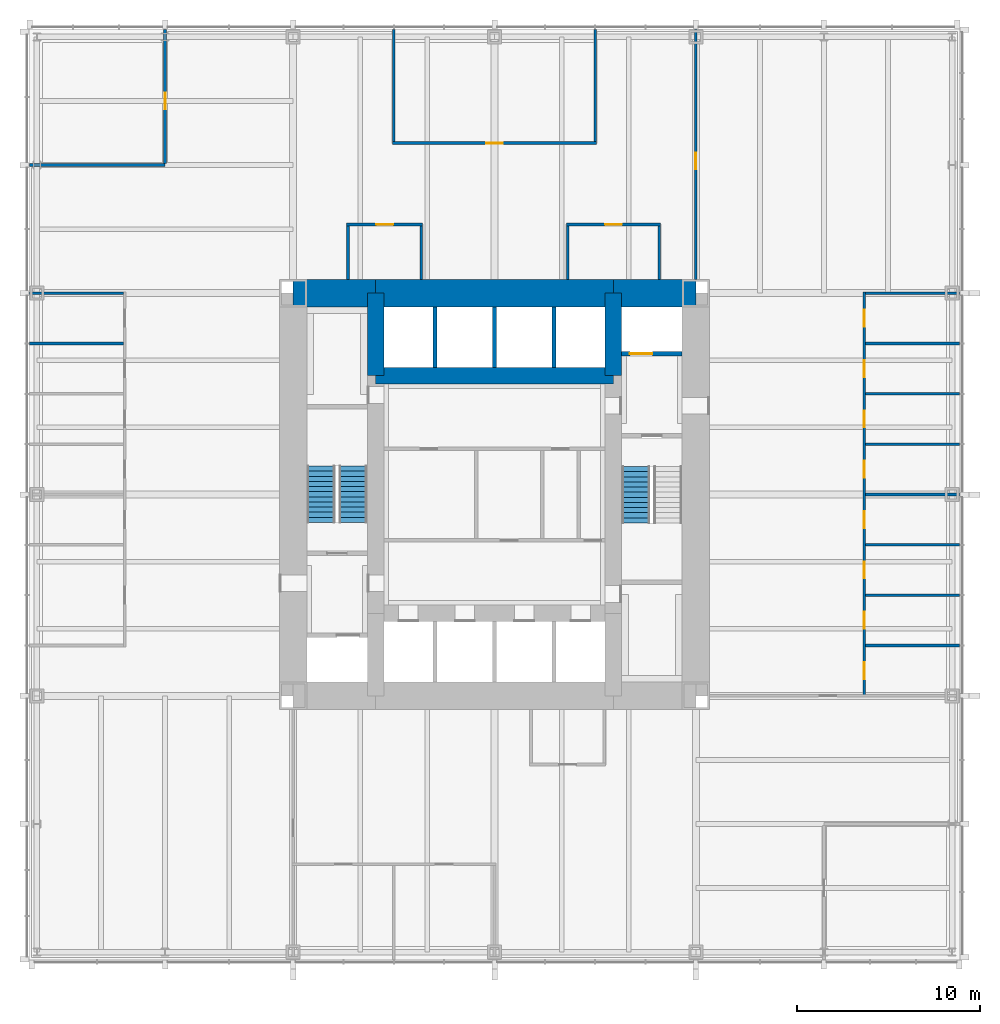
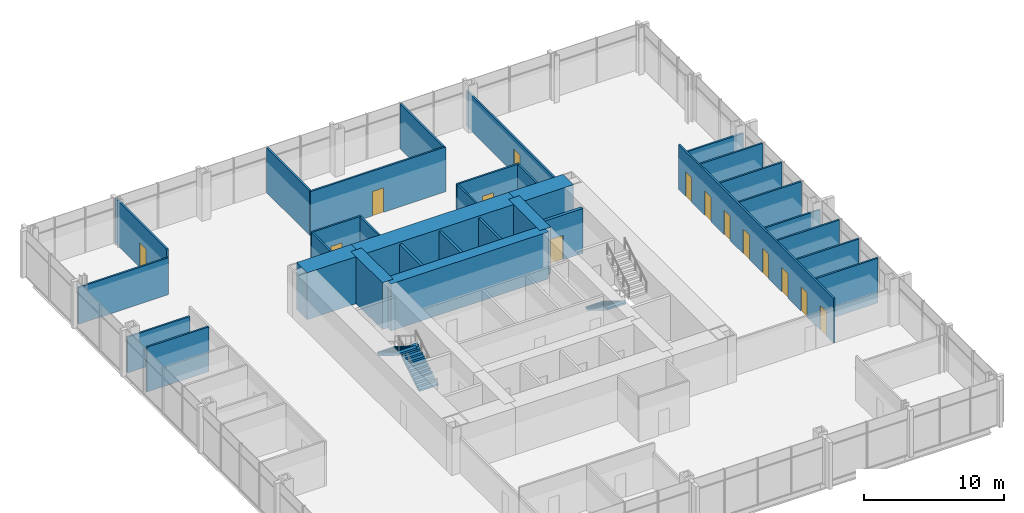
# One storey, part 11 of 13: 33 walls, 14 doors, 3 stair flights, 14 openings, 2 elements without a shape of their own.
"""IFC4 building model written with IfcOpenShell, lengths in metres."""

from ifc_helpers import new_model, si_unit, direction, frame, frame_2d, origin, place, context, subcontext, project, spatial, polyline, rectangle, outline, extrude, material, layer, layer_set, type_object, element, fill, aggregate, save


model = new_model("IFC4")

# Units and contexts
model_context = context("Model", 3, precision=1e-05, world=origin(), true_north=direction((0.0, 1.0)))
body_context = subcontext(model_context, "Body", "Model", "MODEL_VIEW")
ifc_project = project(units=[si_unit("LENGTHUNIT", "METRE"), si_unit("AREAUNIT", "SQUARE_METRE"), si_unit("VOLUMEUNIT", "CUBIC_METRE"), si_unit("PLANEANGLEUNIT", "RADIAN"), si_unit("MASSUNIT", "GRAM", prefix="KILO")], contexts=[model_context])

# Site, building, storey
site_placement = place(None, origin())
site = spatial("IfcSite", under=ifc_project, at=site_placement, CompositionType="ELEMENT")
building_placement = place(site_placement, origin())
building = spatial("IfcBuilding", under=site, at=building_placement, Name="Trevanion Tower", CompositionType="ELEMENT")
storey_placement = place(building_placement, frame((0.0, 0.0, 81.60009765625)))
storey = spatial("IfcBuildingStorey", under=building, at=storey_placement, Name="L19", CompositionType="ELEMENT", Elevation=81.60009765625)

# Walls
ifc_material_1 = material(Name="Concrete 10,000 psi", Category="concrete")
ifc_layer_1 = layer(ifc_material_1, 1.5)
ifc_layer_set_1 = layer_set([ifc_layer_1], Name="CW1 core wall 1500")
wall_type_1 = type_object("IfcWallType", Name="CW1 core wall 1500", PredefinedType="SHEAR", material=ifc_layer_set_1)
wall_1_placement = place(storey_placement, frame((11.0, 11.0, 0.0), z_axis=(0.0, 0.0, 1.0), x_axis=(-1.0, 0.0, 0.0)))
element("IfcWall", 1, at=wall_1_placement, inside=storey, type_object=wall_type_1, Name="CW1 CN1 L19", PredefinedType="SHEAR", context=body_context, shape_type="SweptSolid", body=[
    extrude(rectangle(XDim=4.5, YDim=1.5, at=frame_2d((2.25, 0.0))), origin(), (0.0, 0.0, 1.0), 4.099853515625),
])
wall_2_placement = place(storey_placement, frame((6.5, 11.0, 0.0), z_axis=(0.0, 0.0, 1.0), x_axis=(-1.0, 0.0, 0.0)))
element("IfcWall", 2, at=wall_2_placement, inside=storey, type_object=wall_type_1, Name="CW1 CN2 L19", PredefinedType="SHEAR", context=body_context, shape_type="SweptSolid", body=[
    extrude(rectangle(XDim=13.0, YDim=1.5, at=frame_2d((6.5, 0.0))), origin(), (0.0, 0.0, 1.0), 4.099853515625),
])
wall_3_placement = place(storey_placement, frame((-6.5, 11.0, 0.0), z_axis=(0.0, 0.0, 1.0), x_axis=(-1.0, 0.0, 0.0)))
element("IfcWall", 3, at=wall_3_placement, inside=storey, type_object=wall_type_1, Name="CW1 CN3 L19", PredefinedType="SHEAR", context=body_context, shape_type="SweptSolid", body=[
    extrude(rectangle(XDim=4.5, YDim=1.5, at=frame_2d((2.25, 0.0))), origin(), (0.0, 0.0, 1.0), 4.099853515625),
])
ifc_material_2 = material(Name="Concrete 10,000 psi", Category="concrete")
ifc_layer_2 = layer(ifc_material_2, 0.89990234375)
ifc_layer_set_2 = layer_set([ifc_layer_2], Name="CW2 core wall 900")
wall_type_2 = type_object("IfcWallType", Name="CW2 core wall 900", PredefinedType="SHEAR", material=ifc_layer_set_2)
for number, where, z_axis, x_axis, name in (
    (4, (6.5, 6.5, 0.0), (0.0, 0.0, 1.0), (0.0, 1.0, 0.0), "CW2 RE3 L19"),
    (5, (-6.5, 11.0, 0.0), (0.0, 0.0, 1.0), (0.0, -1.0, 0.0), "CW2 RW1 L19"),
):
    element("IfcWall", number, at=place(storey_placement, frame(where, z_axis=z_axis, x_axis=x_axis)), inside=storey, type_object=wall_type_2, Name=name, PredefinedType="SHEAR", context=body_context, shape_type="SweptSolid", body=[
        extrude(rectangle(XDim=4.5, YDim=0.89990234375, at=frame_2d((2.25, 0.0))), origin(), (0.0, 0.0, 1.0), 4.099853515625),
    ])
wall_4_placement = place(storey_placement, frame((6.5, 6.5, 0.0), z_axis=(0.0, 0.0, 1.0), x_axis=(-1.0, 0.0, 0.0)))
element("IfcWall", 6, at=wall_4_placement, inside=storey, type_object=wall_type_2, Name="CW2 RN L19", PredefinedType="SHEAR", context=body_context, shape_type="SweptSolid", body=[
    extrude(rectangle(XDim=13.0, YDim=0.89990234375, at=frame_2d((6.5, 0.0))), origin(), (0.0, 0.0, 1.0), 4.099853515625),
])

# Wall, opening, door
ifc_material_3 = material(Name="Gypsum board on steel studs", Category="steel")
ifc_layer_3 = layer(ifc_material_3, 0.14990234375)
ifc_layer_set_3 = layer_set([ifc_layer_3], Name="PT1 partition 150")
wall_type_3 = type_object("IfcWallType", Name="PT1 partition 150", PredefinedType="PARTITIONING", material=ifc_layer_set_3)
wall_5_placement = place(storey_placement, frame((11.0, 11.75, 0.0), z_axis=(0.0, 0.0, 1.0), x_axis=(0.0, 1.0, 0.0)))
wall_5 = element("IfcWall", 7, at=wall_5_placement, inside=storey, type_object=wall_type_3, Name="PT1 L19 ZW0", PredefinedType="PARTITIONING", context=body_context, shape_type="SweptSolid", body=[
    extrude(rectangle(XDim=13.6650390625, YDim=0.14990234375, at=frame_2d((6.83251953125, 0.0))), origin(), (0.0, 0.0, 1.0), 3.130126953125),
])
opening_1_placement = place(wall_5_placement, frame((6.017578125, 0.0, 0.0)))
opening_1 = element("IfcOpeningElement", 8, at=opening_1_placement, cuts=wall_5, Name="Opening 19-019", PredefinedType="OPENING", context=body_context, shape_type="SweptSolid", body=[
    extrude(rectangle(XDim=0.9150390625, YDim=2.134033203125, at=frame_2d((0.45751953125, 1.06689453125))), frame((0.0, 0.0849609375, 0.0), z_axis=(0.0, -1.0, 0.0), x_axis=(1.0, 0.0, 0.0)), (0.0, 0.0, 1.0), 0.169921875),
])
ifc_material_4 = material(Name="Timber veneer, solid core", Category="wood")
door_type_1 = type_object("IfcDoorType", Name="D1 office and meeting room door", OperationType="SINGLE_SWING_LEFT", PredefinedType="DOOR", material=ifc_material_4)
door_1_placement = place(opening_1_placement, origin())
door_1 = element("IfcDoor", 9, at=door_1_placement, inside=storey, type_object=door_type_1, Name="Door 19-019", OperationType="SINGLE_SWING_LEFT", OverallHeight=2.134033203125, OverallWidth=0.9150390625, PredefinedType="DOOR", context=body_context, shape_type="SweptSolid", body=[
    extrude(rectangle(XDim=0.9150390625, YDim=2.134033203125, at=frame_2d((0.45751953125, 1.06689453125))), frame((0.0, 0.02490234375, 0.0), z_axis=(0.0, -1.0, 0.0), x_axis=(1.0, 0.0, 0.0)), (0.0, 0.0, 1.0), 0.050048828125),
])
fill(opening_1, door_1)

# Wall
wall_6_placement = place(storey_placement, frame((-18.0, 18.0, 0.0), z_axis=(0.0, 0.0, 1.0), x_axis=(-1.0, 0.0, 0.0)))
element("IfcWall", 10, at=wall_6_placement, inside=storey, type_object=wall_type_3, Name="PT1 L19 KW1a", PredefinedType="PARTITIONING", context=body_context, shape_type="SweptSolid", body=[
    extrude(rectangle(XDim=7.4150390625, YDim=0.14990234375, at=frame_2d((3.70751953125, 0.0))), origin(), (0.0, 0.0, 1.0), 3.216552734375),
])

# Wall, opening, door
wall_7_placement = place(storey_placement, frame((-18.0, 18.074951171875, 0.0), z_axis=(0.0, 0.0, 1.0), x_axis=(0.0, 1.0, 0.0)))
wall_7 = element("IfcWall", 11, at=wall_7_placement, inside=storey, type_object=wall_type_3, Name="PT1 L19 KW1b", PredefinedType="PARTITIONING", context=body_context, shape_type="SweptSolid", body=[
    extrude(rectangle(XDim=7.340087890625, YDim=0.14990234375, at=frame_2d((3.669921875, 0.0))), origin(), (0.0, 0.0, 1.0), 3.909912109375),
])
opening_2_placement = place(wall_7_placement, frame((2.967529296875, 0.0, 0.0)))
opening_2 = element("IfcOpeningElement", 12, at=opening_2_placement, cuts=wall_7, Name="Opening 19-022", PredefinedType="OPENING", context=body_context, shape_type="SweptSolid", body=[
    extrude(rectangle(XDim=0.9150390625, YDim=2.134033203125, at=frame_2d((0.45751953125, 1.06689453125))), frame((0.0, 0.0849609375, 0.0), z_axis=(0.0, -1.0, 0.0), x_axis=(1.0, 0.0, 0.0)), (0.0, 0.0, 1.0), 0.169921875),
])
door_2_placement = place(opening_2_placement, origin())
door_2 = element("IfcDoor", 13, at=door_2_placement, inside=storey, type_object=door_type_1, Name="Door 19-022", OperationType="SINGLE_SWING_LEFT", OverallHeight=2.134033203125, OverallWidth=0.9150390625, PredefinedType="DOOR", context=body_context, shape_type="SweptSolid", body=[
    extrude(rectangle(XDim=0.9150390625, YDim=2.134033203125, at=frame_2d((0.45751953125, 1.06689453125))), frame((0.0, 0.02490234375, 0.0), z_axis=(0.0, -1.0, 0.0), x_axis=(1.0, 0.0, 0.0)), (0.0, 0.0, 1.0), 0.050048828125),
])
fill(opening_2, door_2)

# Wall, openings, doors
wall_8_placement = place(storey_placement, frame((20.199951171875, -11.074951171875, 0.0), z_axis=(0.0, 0.0, 1.0), x_axis=(0.0, 1.0, 0.0)))
wall_8 = element("IfcWall", 14, at=wall_8_placement, inside=storey, type_object=wall_type_3, Name="PT1 L19 FC0F", PredefinedType="PARTITIONING", context=body_context, shape_type="SweptSolid", body=[
    extrude(rectangle(XDim=22.14990234375, YDim=0.14990234375, at=frame_2d((11.074951171875, 0.0))), origin(), (0.0, 0.0, 1.0), 3.909912109375),
])
opening_3_placement = place(wall_8_placement, frame((0.992431640625, 0.0, 0.0)))
opening_3 = element("IfcOpeningElement", 15, at=opening_3_placement, cuts=wall_8, Name="Opening 19-024", PredefinedType="OPENING", context=body_context, shape_type="SweptSolid", body=[
    extrude(rectangle(XDim=0.9150390625, YDim=2.134033203125, at=frame_2d((0.45751953125, 1.06689453125))), frame((0.0, 0.0849609375, 0.0), z_axis=(0.0, -1.0, 0.0), x_axis=(1.0, 0.0, 0.0)), (0.0, 0.0, 1.0), 0.169921875),
])
opening_4_placement = place(wall_8_placement, frame((3.742431640625, 0.0, 0.0)))
opening_4 = element("IfcOpeningElement", 16, at=opening_4_placement, cuts=wall_8, Name="Opening 19-025", PredefinedType="OPENING", context=body_context, shape_type="SweptSolid", body=[
    extrude(rectangle(XDim=0.9150390625, YDim=2.134033203125, at=frame_2d((0.45751953125, 1.06689453125))), frame((0.0, 0.0849609375, 0.0), z_axis=(0.0, -1.0, 0.0), x_axis=(1.0, 0.0, 0.0)), (0.0, 0.0, 1.0), 0.169921875),
])
opening_5_placement = place(wall_8_placement, frame((6.492431640625, 0.0, 0.0)))
opening_5 = element("IfcOpeningElement", 17, at=opening_5_placement, cuts=wall_8, Name="Opening 19-026", PredefinedType="OPENING", context=body_context, shape_type="SweptSolid", body=[
    extrude(rectangle(XDim=0.9150390625, YDim=2.134033203125, at=frame_2d((0.45751953125, 1.06689453125))), frame((0.0, 0.0849609375, 0.0), z_axis=(0.0, -1.0, 0.0), x_axis=(1.0, 0.0, 0.0)), (0.0, 0.0, 1.0), 0.169921875),
])
opening_6_placement = place(wall_8_placement, frame((9.242431640625, 0.0, 0.0)))
opening_6 = element("IfcOpeningElement", 18, at=opening_6_placement, cuts=wall_8, Name="Opening 19-027", PredefinedType="OPENING", context=body_context, shape_type="SweptSolid", body=[
    extrude(rectangle(XDim=0.9150390625, YDim=2.134033203125, at=frame_2d((0.45751953125, 1.06689453125))), frame((0.0, 0.0849609375, 0.0), z_axis=(0.0, -1.0, 0.0), x_axis=(1.0, 0.0, 0.0)), (0.0, 0.0, 1.0), 0.169921875),
])
opening_7_placement = place(wall_8_placement, frame((11.992431640625, 0.0, 0.0)))
opening_7 = element("IfcOpeningElement", 19, at=opening_7_placement, cuts=wall_8, Name="Opening 19-028", PredefinedType="OPENING", context=body_context, shape_type="SweptSolid", body=[
    extrude(rectangle(XDim=0.9150390625, YDim=2.134033203125, at=frame_2d((0.45751953125, 1.06689453125))), frame((0.0, 0.0849609375, 0.0), z_axis=(0.0, -1.0, 0.0), x_axis=(1.0, 0.0, 0.0)), (0.0, 0.0, 1.0), 0.169921875),
])
opening_8_placement = place(wall_8_placement, frame((14.742431640625, 0.0, 0.0)))
opening_8 = element("IfcOpeningElement", 20, at=opening_8_placement, cuts=wall_8, Name="Opening 19-029", PredefinedType="OPENING", context=body_context, shape_type="SweptSolid", body=[
    extrude(rectangle(XDim=0.9150390625, YDim=2.134033203125, at=frame_2d((0.45751953125, 1.06689453125))), frame((0.0, 0.0849609375, 0.0), z_axis=(0.0, -1.0, 0.0), x_axis=(1.0, 0.0, 0.0)), (0.0, 0.0, 1.0), 0.169921875),
])
opening_9_placement = place(wall_8_placement, frame((17.492431640625, 0.0, 0.0)))
opening_9 = element("IfcOpeningElement", 21, at=opening_9_placement, cuts=wall_8, Name="Opening 19-030", PredefinedType="OPENING", context=body_context, shape_type="SweptSolid", body=[
    extrude(rectangle(XDim=0.9150390625, YDim=2.134033203125, at=frame_2d((0.45751953125, 1.06689453125))), frame((0.0, 0.0849609375, 0.0), z_axis=(0.0, -1.0, 0.0), x_axis=(1.0, 0.0, 0.0)), (0.0, 0.0, 1.0), 0.169921875),
])
opening_10_placement = place(wall_8_placement, frame((20.242431640625, 0.0, 0.0)))
opening_10 = element("IfcOpeningElement", 22, at=opening_10_placement, cuts=wall_8, Name="Opening 19-031", PredefinedType="OPENING", context=body_context, shape_type="SweptSolid", body=[
    extrude(rectangle(XDim=0.9150390625, YDim=2.134033203125, at=frame_2d((0.45751953125, 1.06689453125))), frame((0.0, 0.0849609375, 0.0), z_axis=(0.0, -1.0, 0.0), x_axis=(1.0, 0.0, 0.0)), (0.0, 0.0, 1.0), 0.169921875),
])
door_3_placement = place(opening_3_placement, origin())
door_3 = element("IfcDoor", 23, at=door_3_placement, inside=storey, type_object=door_type_1, Name="Door 19-024", OperationType="SINGLE_SWING_LEFT", OverallHeight=2.134033203125, OverallWidth=0.9150390625, PredefinedType="DOOR", context=body_context, shape_type="SweptSolid", body=[
    extrude(rectangle(XDim=0.9150390625, YDim=2.134033203125, at=frame_2d((0.45751953125, 1.06689453125))), frame((0.0, 0.02490234375, 0.0), z_axis=(0.0, -1.0, 0.0), x_axis=(1.0, 0.0, 0.0)), (0.0, 0.0, 1.0), 0.050048828125),
])
fill(opening_3, door_3)
door_4_placement = place(opening_4_placement, origin())
door_4 = element("IfcDoor", 24, at=door_4_placement, inside=storey, type_object=door_type_1, Name="Door 19-025", OperationType="SINGLE_SWING_LEFT", OverallHeight=2.134033203125, OverallWidth=0.9150390625, PredefinedType="DOOR", context=body_context, shape_type="SweptSolid", body=[
    extrude(rectangle(XDim=0.9150390625, YDim=2.134033203125, at=frame_2d((0.45751953125, 1.06689453125))), frame((0.0, 0.02490234375, 0.0), z_axis=(0.0, -1.0, 0.0), x_axis=(1.0, 0.0, 0.0)), (0.0, 0.0, 1.0), 0.050048828125),
])
fill(opening_4, door_4)
door_5_placement = place(opening_5_placement, origin())
door_5 = element("IfcDoor", 25, at=door_5_placement, inside=storey, type_object=door_type_1, Name="Door 19-026", OperationType="SINGLE_SWING_LEFT", OverallHeight=2.134033203125, OverallWidth=0.9150390625, PredefinedType="DOOR", context=body_context, shape_type="SweptSolid", body=[
    extrude(rectangle(XDim=0.9150390625, YDim=2.134033203125, at=frame_2d((0.45751953125, 1.06689453125))), frame((0.0, 0.02490234375, 0.0), z_axis=(0.0, -1.0, 0.0), x_axis=(1.0, 0.0, 0.0)), (0.0, 0.0, 1.0), 0.050048828125),
])
fill(opening_5, door_5)
door_6_placement = place(opening_6_placement, origin())
door_6 = element("IfcDoor", 26, at=door_6_placement, inside=storey, type_object=door_type_1, Name="Door 19-027", OperationType="SINGLE_SWING_LEFT", OverallHeight=2.134033203125, OverallWidth=0.9150390625, PredefinedType="DOOR", context=body_context, shape_type="SweptSolid", body=[
    extrude(rectangle(XDim=0.9150390625, YDim=2.134033203125, at=frame_2d((0.45751953125, 1.06689453125))), frame((0.0, 0.02490234375, 0.0), z_axis=(0.0, -1.0, 0.0), x_axis=(1.0, 0.0, 0.0)), (0.0, 0.0, 1.0), 0.050048828125),
])
fill(opening_6, door_6)
door_7_placement = place(opening_7_placement, origin())
door_7 = element("IfcDoor", 27, at=door_7_placement, inside=storey, type_object=door_type_1, Name="Door 19-028", OperationType="SINGLE_SWING_LEFT", OverallHeight=2.134033203125, OverallWidth=0.9150390625, PredefinedType="DOOR", context=body_context, shape_type="SweptSolid", body=[
    extrude(rectangle(XDim=0.9150390625, YDim=2.134033203125, at=frame_2d((0.45751953125, 1.06689453125))), frame((0.0, 0.02490234375, 0.0), z_axis=(0.0, -1.0, 0.0), x_axis=(1.0, 0.0, 0.0)), (0.0, 0.0, 1.0), 0.050048828125),
])
fill(opening_7, door_7)
door_8_placement = place(opening_8_placement, origin())
door_8 = element("IfcDoor", 28, at=door_8_placement, inside=storey, type_object=door_type_1, Name="Door 19-029", OperationType="SINGLE_SWING_LEFT", OverallHeight=2.134033203125, OverallWidth=0.9150390625, PredefinedType="DOOR", context=body_context, shape_type="SweptSolid", body=[
    extrude(rectangle(XDim=0.9150390625, YDim=2.134033203125, at=frame_2d((0.45751953125, 1.06689453125))), frame((0.0, 0.02490234375, 0.0), z_axis=(0.0, -1.0, 0.0), x_axis=(1.0, 0.0, 0.0)), (0.0, 0.0, 1.0), 0.050048828125),
])
fill(opening_8, door_8)
door_9_placement = place(opening_9_placement, origin())
door_9 = element("IfcDoor", 29, at=door_9_placement, inside=storey, type_object=door_type_1, Name="Door 19-030", OperationType="SINGLE_SWING_LEFT", OverallHeight=2.134033203125, OverallWidth=0.9150390625, PredefinedType="DOOR", context=body_context, shape_type="SweptSolid", body=[
    extrude(rectangle(XDim=0.9150390625, YDim=2.134033203125, at=frame_2d((0.45751953125, 1.06689453125))), frame((0.0, 0.02490234375, 0.0), z_axis=(0.0, -1.0, 0.0), x_axis=(1.0, 0.0, 0.0)), (0.0, 0.0, 1.0), 0.050048828125),
])
fill(opening_9, door_9)
door_10_placement = place(opening_10_placement, origin())
door_10 = element("IfcDoor", 30, at=door_10_placement, inside=storey, type_object=door_type_1, Name="Door 19-031", OperationType="SINGLE_SWING_LEFT", OverallHeight=2.134033203125, OverallWidth=0.9150390625, PredefinedType="DOOR", context=body_context, shape_type="SweptSolid", body=[
    extrude(rectangle(XDim=0.9150390625, YDim=2.134033203125, at=frame_2d((0.45751953125, 1.06689453125))), frame((0.0, 0.02490234375, 0.0), z_axis=(0.0, -1.0, 0.0), x_axis=(1.0, 0.0, 0.0)), (0.0, 0.0, 1.0), 0.050048828125),
])
fill(opening_10, door_10)

# Walls
for number, where, z_axis, x_axis, name in (
    (31, (20.27490234375, -8.25, 0.0), (0.0, 0.0, 1.0), (1.0, 0.0, 0.0), "PT1 L19 FC0S1"),
    (32, (20.27490234375, -5.5, 0.0), (0.0, 0.0, 1.0), (1.0, 0.0, 0.0), "PT1 L19 FC0S2"),
    (33, (20.27490234375, -2.75, 0.0), (0.0, 0.0, 1.0), (1.0, 0.0, 0.0), "PT1 L19 FC0S3"),
):
    element("IfcWall", number, at=place(storey_placement, frame(where, z_axis=z_axis, x_axis=x_axis)), inside=storey, type_object=wall_type_3, Name=name, PredefinedType="PARTITIONING", context=body_context, shape_type="SweptSolid", body=[
        extrude(rectangle(XDim=5.14013671875, YDim=0.14990234375, at=frame_2d((2.570068359375, 0.0))), origin(), (0.0, 0.0, 1.0), 3.909912109375),
    ])
wall_9_placement = place(storey_placement, frame((20.27490234375, 0.0, 0.0), z_axis=(0.0, 0.0, 1.0), x_axis=(1.0, 0.0, 0.0)))
element("IfcWall", 34, at=wall_9_placement, inside=storey, type_object=wall_type_3, Name="PT1 L19 FC0S4", PredefinedType="PARTITIONING", context=body_context, shape_type="SweptSolid", body=[
    extrude(rectangle(XDim=5.14013671875, YDim=0.14990234375, at=frame_2d((2.570068359375, 0.0))), origin(), (0.0, 0.0, 1.0), 3.130126953125),
])
for number, where, z_axis, x_axis, name in (
    (35, (20.27490234375, 2.75, 0.0), (0.0, 0.0, 1.0), (1.0, 0.0, 0.0), "PT1 L19 FC0S5"),
    (36, (20.27490234375, 5.5, 0.0), (0.0, 0.0, 1.0), (1.0, 0.0, 0.0), "PT1 L19 FC0S6"),
    (37, (20.27490234375, 8.25, 0.0), (0.0, 0.0, 1.0), (1.0, 0.0, 0.0), "PT1 L19 FC0S7"),
):
    element("IfcWall", number, at=place(storey_placement, frame(where, z_axis=z_axis, x_axis=x_axis)), inside=storey, type_object=wall_type_3, Name=name, PredefinedType="PARTITIONING", context=body_context, shape_type="SweptSolid", body=[
        extrude(rectangle(XDim=5.14013671875, YDim=0.14990234375, at=frame_2d((2.570068359375, 0.0))), origin(), (0.0, 0.0, 1.0), 3.909912109375),
    ])
for number, where, z_axis, x_axis, name in (
    (38, (20.27490234375, 11.0, 0.0), (0.0, 0.0, 1.0), (1.0, 0.0, 0.0), "PT1 L19 FC0S8"),
    (39, (-20.27490234375, 11.0, 0.0), (0.0, 0.0, 1.0), (-1.0, 0.0, 0.0), "PT1 L19 FC2S0"),
):
    element("IfcWall", number, at=place(storey_placement, frame(where, z_axis=z_axis, x_axis=x_axis)), inside=storey, type_object=wall_type_3, Name=name, PredefinedType="PARTITIONING", context=body_context, shape_type="SweptSolid", body=[
        extrude(rectangle(XDim=5.14013671875, YDim=0.14990234375, at=frame_2d((2.570068359375, 0.0))), origin(), (0.0, 0.0, 1.0), 3.130126953125),
    ])
wall_10_placement = place(storey_placement, frame((-20.27490234375, 8.25, 0.0), z_axis=(0.0, 0.0, 1.0), x_axis=(-1.0, 0.0, 0.0)))
element("IfcWall", 40, at=wall_10_placement, inside=storey, type_object=wall_type_3, Name="PT1 L19 FC2S1", PredefinedType="PARTITIONING", context=body_context, shape_type="SweptSolid", body=[
    extrude(rectangle(XDim=5.14013671875, YDim=0.14990234375, at=frame_2d((2.570068359375, 0.0))), origin(), (0.0, 0.0, 1.0), 3.909912109375),
])

# Wall, opening, door
wall_11_placement = place(storey_placement, frame((5.574951171875, 19.199951171875, 0.0), z_axis=(0.0, 0.0, 1.0), x_axis=(-1.0, 0.0, 0.0)))
wall_11 = element("IfcWall", 41, at=wall_11_placement, inside=storey, type_object=wall_type_3, Name="PT1 L19 FC1F", PredefinedType="PARTITIONING", context=body_context, shape_type="SweptSolid", body=[
    extrude(rectangle(XDim=11.14990234375, YDim=0.14990234375, at=frame_2d((5.574951171875, 0.0))), origin(), (0.0, 0.0, 1.0), 3.909912109375),
])
opening_11_placement = place(wall_11_placement, frame((5.117431640625, 0.0, 0.0)))
opening_11 = element("IfcOpeningElement", 42, at=opening_11_placement, cuts=wall_11, Name="Opening 19-038", PredefinedType="OPENING", context=body_context, shape_type="SweptSolid", body=[
    extrude(rectangle(XDim=0.9150390625, YDim=2.134033203125, at=frame_2d((0.45751953125, 1.06689453125))), frame((0.0, 0.0849609375, 0.0), z_axis=(0.0, -1.0, 0.0), x_axis=(1.0, 0.0, 0.0)), (0.0, 0.0, 1.0), 0.169921875),
])
door_11_placement = place(opening_11_placement, origin())
door_11 = element("IfcDoor", 43, at=door_11_placement, inside=storey, type_object=door_type_1, Name="Door 19-038", OperationType="SINGLE_SWING_LEFT", OverallHeight=2.134033203125, OverallWidth=0.9150390625, PredefinedType="DOOR", context=body_context, shape_type="SweptSolid", body=[
    extrude(rectangle(XDim=0.9150390625, YDim=2.134033203125, at=frame_2d((0.45751953125, 1.06689453125))), frame((0.0, 0.02490234375, 0.0), z_axis=(0.0, -1.0, 0.0), x_axis=(1.0, 0.0, 0.0)), (0.0, 0.0, 1.0), 0.050048828125),
])
fill(opening_11, door_11)

# Walls
for number, where, z_axis, x_axis, name in (
    (44, (5.5, 19.27490234375, 0.0), (0.0, 0.0, 1.0), (0.0, 1.0, 0.0), "PT1 L19 FC1S0"),
    (45, (-5.5, 19.27490234375, 0.0), (0.0, 0.0, 1.0), (0.0, 1.0, 0.0), "PT1 L19 FC1S4"),
):
    element("IfcWall", number, at=place(storey_placement, frame(where, z_axis=z_axis, x_axis=x_axis)), inside=storey, type_object=wall_type_3, Name=name, PredefinedType="PARTITIONING", context=body_context, shape_type="SweptSolid", body=[
        extrude(rectangle(XDim=6.14013671875, YDim=0.14990234375, at=frame_2d((3.070068359375, 0.0))), origin(), (0.0, 0.0, 1.0), 3.909912109375),
    ])

# Wall, opening, door
wall_12_placement = place(storey_placement, frame((9.074951171875, 14.75, 0.0), z_axis=(0.0, 0.0, 1.0), x_axis=(-1.0, 0.0, 0.0)))
wall_12 = element("IfcWall", 46, at=wall_12_placement, inside=storey, type_object=wall_type_3, Name="PT1 L19 IN10F", PredefinedType="PARTITIONING", context=body_context, shape_type="SweptSolid", body=[
    extrude(rectangle(XDim=5.14990234375, YDim=0.14990234375, at=frame_2d((2.574951171875, 0.0))), origin(), (0.0, 0.0, 1.0), 3.909912109375),
])
opening_12_placement = place(wall_12_placement, frame((2.117431640625, 0.0, 0.0)))
opening_12 = element("IfcOpeningElement", 47, at=opening_12_placement, cuts=wall_12, Name="Opening 19-041", PredefinedType="OPENING", context=body_context, shape_type="SweptSolid", body=[
    extrude(rectangle(XDim=0.9150390625, YDim=2.134033203125, at=frame_2d((0.45751953125, 1.06689453125))), frame((0.0, 0.0849609375, 0.0), z_axis=(0.0, -1.0, 0.0), x_axis=(1.0, 0.0, 0.0)), (0.0, 0.0, 1.0), 0.169921875),
])
door_12_placement = place(opening_12_placement, origin())
door_12 = element("IfcDoor", 48, at=door_12_placement, inside=storey, type_object=door_type_1, Name="Door 19-041", OperationType="SINGLE_SWING_LEFT", OverallHeight=2.134033203125, OverallWidth=0.9150390625, PredefinedType="DOOR", context=body_context, shape_type="SweptSolid", body=[
    extrude(rectangle(XDim=0.9150390625, YDim=2.134033203125, at=frame_2d((0.45751953125, 1.06689453125))), frame((0.0, 0.02490234375, 0.0), z_axis=(0.0, -1.0, 0.0), x_axis=(1.0, 0.0, 0.0)), (0.0, 0.0, 1.0), 0.050048828125),
])
fill(opening_12, door_12)

# Walls
for number, where, z_axis, x_axis, name in (
    (49, (9.0, 14.675048828125, 0.0), (0.0, 0.0, 1.0), (0.0, -1.0, 0.0), "PT1 L19 IN10S0"),
    (50, (4.0, 14.675048828125, 0.0), (0.0, 0.0, 1.0), (0.0, -1.0, 0.0), "PT1 L19 IN10S1"),
):
    element("IfcWall", number, at=place(storey_placement, frame(where, z_axis=z_axis, x_axis=x_axis)), inside=storey, type_object=wall_type_3, Name=name, PredefinedType="PARTITIONING", context=body_context, shape_type="SweptSolid", body=[
        extrude(rectangle(XDim=2.925048828125, YDim=0.14990234375, at=frame_2d((1.46240234375, 0.0))), origin(), (0.0, 0.0, 1.0), 3.909912109375),
    ])

# Wall, opening, door
wall_13_placement = place(storey_placement, frame((-3.925048828125, 14.75, 0.0), z_axis=(0.0, 0.0, 1.0), x_axis=(-1.0, 0.0, 0.0)))
wall_13 = element("IfcWall", 51, at=wall_13_placement, inside=storey, type_object=wall_type_3, Name="PT1 L19 IN11F", PredefinedType="PARTITIONING", context=body_context, shape_type="SweptSolid", body=[
    extrude(rectangle(XDim=4.14990234375, YDim=0.14990234375, at=frame_2d((2.074951171875, 0.0))), origin(), (0.0, 0.0, 1.0), 3.909912109375),
])
opening_13_placement = place(wall_13_placement, frame((1.617431640625, 0.0, 0.0)))
opening_13 = element("IfcOpeningElement", 52, at=opening_13_placement, cuts=wall_13, Name="Opening 19-042", PredefinedType="OPENING", context=body_context, shape_type="SweptSolid", body=[
    extrude(rectangle(XDim=0.9150390625, YDim=2.134033203125, at=frame_2d((0.45751953125, 1.06689453125))), frame((0.0, 0.0849609375, 0.0), z_axis=(0.0, -1.0, 0.0), x_axis=(1.0, 0.0, 0.0)), (0.0, 0.0, 1.0), 0.169921875),
])
door_13_placement = place(opening_13_placement, origin())
door_13 = element("IfcDoor", 53, at=door_13_placement, inside=storey, type_object=door_type_1, Name="Door 19-042", OperationType="SINGLE_SWING_LEFT", OverallHeight=2.134033203125, OverallWidth=0.9150390625, PredefinedType="DOOR", context=body_context, shape_type="SweptSolid", body=[
    extrude(rectangle(XDim=0.9150390625, YDim=2.134033203125, at=frame_2d((0.45751953125, 1.06689453125))), frame((0.0, 0.02490234375, 0.0), z_axis=(0.0, -1.0, 0.0), x_axis=(1.0, 0.0, 0.0)), (0.0, 0.0, 1.0), 0.050048828125),
])
fill(opening_13, door_13)

# Walls
for number, where, z_axis, x_axis, name in (
    (54, (-4.0, 14.675048828125, 0.0), (0.0, 0.0, 1.0), (0.0, -1.0, 0.0), "PT1 L19 IN11S0"),
    (55, (-8.0, 14.675048828125, 0.0), (0.0, 0.0, 1.0), (0.0, -1.0, 0.0), "PT1 L19 IN11S1"),
):
    element("IfcWall", number, at=place(storey_placement, frame(where, z_axis=z_axis, x_axis=x_axis)), inside=storey, type_object=wall_type_3, Name=name, PredefinedType="PARTITIONING", context=body_context, shape_type="SweptSolid", body=[
        extrude(rectangle(XDim=2.925048828125, YDim=0.14990234375, at=frame_2d((1.46240234375, 0.0))), origin(), (0.0, 0.0, 1.0), 3.909912109375),
    ])
ifc_material_5 = material(Name="Concrete masonry, grouted", Category="masonry")
ifc_layer_4 = layer(ifc_material_5, 0.199951171875)
ifc_layer_set_4 = layer_set([ifc_layer_4], Name="PT2 partition 200 2 HR")
wall_type_4 = type_object("IfcWallType", Name="PT2 partition 200 2 HR", PredefinedType="PARTITIONING", material=ifc_layer_set_4)
for number, where, z_axis, x_axis, name in (
    (56, (-3.25, 6.949951171875, 0.0), (0.0, 0.0, 1.0), (0.0, 1.0, 0.0), "PT2 L19 NS0"),
    (57, (0.0, 6.949951171875, 0.0), (0.0, 0.0, 1.0), (0.0, 1.0, 0.0), "PT2 L19 NS1"),
    (58, (3.25, 6.949951171875, 0.0), (0.0, 0.0, 1.0), (0.0, 1.0, 0.0), "PT2 L19 NS2"),
):
    element("IfcWall", number, at=place(storey_placement, frame(where, z_axis=z_axis, x_axis=x_axis)), inside=storey, type_object=wall_type_4, Name=name, PredefinedType="PARTITIONING", context=body_context, shape_type="SweptSolid", body=[
        extrude(rectangle(XDim=3.300048828125, YDim=0.199951171875, at=frame_2d((1.64990234375, 0.0))), origin(), (0.0, 0.0, 1.0), 3.909912109375),
    ])

# Wall, opening, door
ifc_material_6 = material(Name="Concrete masonry, grouted, two-hour", Category="masonry")
ifc_layer_5 = layer(ifc_material_6, 0.25)
ifc_layer_set_5 = layer_set([ifc_layer_5], Name="PT3 partition 250 2 HR")
wall_type_5 = type_object("IfcWallType", Name="PT3 partition 250 2 HR", PredefinedType="PARTITIONING", material=ifc_layer_set_5)
wall_14_placement = place(storey_placement, frame((6.949951171875, 7.699951171875, 0.0), z_axis=(0.0, 0.0, 1.0), x_axis=(1.0, 0.0, 0.0)))
wall_14 = element("IfcWall", 59, at=wall_14_placement, inside=storey, type_object=wall_type_5, Name="PT3 L19 EP3", PredefinedType="PARTITIONING", context=body_context, shape_type="SweptSolid", body=[
    extrude(rectangle(XDim=3.300048828125, YDim=0.25, at=frame_2d((1.64990234375, 0.0))), origin(), (0.0, 0.0, 1.0), 3.909912109375),
])
opening_14_placement = place(wall_14_placement, frame((0.449951171875, 0.0, 0.0)))
opening_14 = element("IfcOpeningElement", 60, at=opening_14_placement, cuts=wall_14, Name="Opening 19-007", PredefinedType="OPENING", context=body_context, shape_type="SweptSolid", body=[
    extrude(rectangle(XDim=1.218994140625, YDim=2.134033203125, at=frame_2d((0.609375, 1.06689453125))), frame((0.0, 0.135009765625, 0.0), z_axis=(0.0, -1.0, 0.0), x_axis=(1.0, 0.0, 0.0)), (0.0, 0.0, 1.0), 0.27001953125),
])
ifc_material_7 = material(Name="Stainless steel, fire rated", Category="steel")
door_type_2 = type_object("IfcDoorType", Name="LD2 fire service lift landing door", OperationType="SLIDING_TO_LEFT", PredefinedType="DOOR", material=ifc_material_7)
door_14_placement = place(opening_14_placement, origin())
door_14 = element("IfcDoor", 61, at=door_14_placement, inside=storey, type_object=door_type_2, Name="Door 19-007", OperationType="SLIDING_TO_LEFT", OverallHeight=2.134033203125, OverallWidth=1.218994140625, PredefinedType="DOOR", context=body_context, shape_type="SweptSolid", body=[
    extrude(rectangle(XDim=1.218994140625, YDim=2.134033203125, at=frame_2d((0.609375, 1.06689453125))), frame((0.0, 0.02490234375, 0.0), z_axis=(0.0, -1.0, 0.0), x_axis=(1.0, 0.0, 0.0)), (0.0, 0.0, 1.0), 0.050048828125),
])
fill(opening_14, door_14)

# Stair, stair flight
ifc_material_8 = material(Name="Concrete 5,000 psi on steel stringers", Category="concrete")
stair_type = type_object("IfcStairType", Name="ST stair", PredefinedType="HALF_TURN_STAIR", material=ifc_material_8)
stair_1_placement = place(storey_placement, origin())
stair_1 = element("IfcStair", 62, at=stair_1_placement, inside=storey, type_object=stair_type, Name="ST1 L19", PredefinedType="HALF_TURN_STAIR")
ifc_material_9 = material(Name="Concrete 5,000 psi in steel pan", Category="concrete")
stair_flight_type = type_object("IfcStairFlightType", Name="STF stair flight", PredefinedType="STRAIGHT", material=ifc_material_9)
stair_flight_1_placement = place(storey_placement, frame((7.72509765625, 1.52490234375, 0.0), z_axis=(0.0, 0.0, 1.0), x_axis=(0.0, -1.0, 0.0)))
stair_flight_1 = element("IfcStairFlight", 63, at=stair_flight_1_placement, type_object=stair_flight_type, Name="ST1 flight 1", NumberOfRisers=12, NumberOfTreads=11, PredefinedType="STRAIGHT", RiserHeight=0.170833333, TreadLength=0.28, context=body_context, shape_type="SweptSolid", body=[
    extrude(outline(polyline([(0.0, 0.0), (0.0, 0.1708984375), (0.280029296875, 0.1708984375), (0.280029296875, 0.341552734375), (0.56005859375, 0.341552734375), (0.56005859375, 0.512451171875), (0.840087890625, 0.512451171875), (0.840087890625, 0.683349609375), (1.1201171875, 0.683349609375), (1.1201171875, 0.854248046875), (1.39990234375, 0.854248046875), (1.39990234375, 1.02490234375), (1.679931640625, 1.02490234375), (1.679931640625, 1.19580078125), (1.9599609375, 1.19580078125), (1.9599609375, 1.36669921875), (2.239990234375, 1.36669921875), (2.239990234375, 1.53759765625), (2.52001953125, 1.53759765625), (2.52001953125, 1.708251953125), (2.800048828125, 1.708251953125), (2.800048828125, 1.879150390625), (3.080078125, 1.879150390625), (3.080078125, 2.050048828125), (3.080078125, 1.70361328125), (0.287841796875, 0.0), (0.0, 0.0)])), frame((0.0, 0.77490234375, 0.0), z_axis=(0.0, -1.0, 0.0), x_axis=(1.0, 0.0, 0.0)), (0.0, 0.0, 1.0), 1.550048828125),
])
aggregate(stair_1, [stair_flight_1])

# Stair, stair flights
stair_2_placement = place(storey_placement, origin())
stair_2 = element("IfcStair", 64, at=stair_2_placement, inside=storey, type_object=stair_type, Name="ST2 L19", PredefinedType="HALF_TURN_STAIR")
stair_flight_2_placement = place(storey_placement, frame((-7.72509765625, -1.52490234375, 0.0), z_axis=(0.0, 0.0, 1.0), x_axis=(0.0, 1.0, 0.0)))
stair_flight_2 = element("IfcStairFlight", 65, at=stair_flight_2_placement, type_object=stair_flight_type, Name="ST2 flight 1", NumberOfRisers=12, NumberOfTreads=11, PredefinedType="STRAIGHT", RiserHeight=0.170833333, TreadLength=0.28, context=body_context, shape_type="SweptSolid", body=[
    extrude(outline(polyline([(0.0, 0.0), (0.0, 0.1708984375), (0.280029296875, 0.1708984375), (0.280029296875, 0.341552734375), (0.56005859375, 0.341552734375), (0.56005859375, 0.512451171875), (0.840087890625, 0.512451171875), (0.840087890625, 0.683349609375), (1.1201171875, 0.683349609375), (1.1201171875, 0.854248046875), (1.39990234375, 0.854248046875), (1.39990234375, 1.02490234375), (1.679931640625, 1.02490234375), (1.679931640625, 1.19580078125), (1.9599609375, 1.19580078125), (1.9599609375, 1.36669921875), (2.239990234375, 1.36669921875), (2.239990234375, 1.53759765625), (2.52001953125, 1.53759765625), (2.52001953125, 1.708251953125), (2.800048828125, 1.708251953125), (2.800048828125, 1.879150390625), (3.080078125, 1.879150390625), (3.080078125, 2.050048828125), (3.080078125, 1.70361328125), (0.287841796875, 0.0), (0.0, 0.0)])), frame((0.0, 0.77490234375, 0.0), z_axis=(0.0, -1.0, 0.0), x_axis=(1.0, 0.0, 0.0)), (0.0, 0.0, 1.0), 1.550048828125),
])
stair_flight_3_placement = place(storey_placement, frame((-9.47509765625, 1.554931640625, 2.0498046875), z_axis=(0.0, 0.0, 1.0), x_axis=(0.0, -1.0, 0.0)))
stair_flight_3 = element("IfcStairFlight", 66, at=stair_flight_3_placement, type_object=stair_flight_type, Name="ST2 flight 2", NumberOfRisers=12, NumberOfTreads=11, PredefinedType="STRAIGHT", RiserHeight=0.170833333, TreadLength=0.28, context=body_context, shape_type="SweptSolid", body=[
    extrude(outline(polyline([(0.0, 0.0), (0.0, 0.1708984375), (0.280029296875, 0.1708984375), (0.280029296875, 0.341552734375), (0.56005859375, 0.341552734375), (0.56005859375, 0.512451171875), (0.840087890625, 0.512451171875), (0.840087890625, 0.683349609375), (1.1201171875, 0.683349609375), (1.1201171875, 0.854248046875), (1.39990234375, 0.854248046875), (1.39990234375, 1.02490234375), (1.679931640625, 1.02490234375), (1.679931640625, 1.19580078125), (1.9599609375, 1.19580078125), (1.9599609375, 1.36669921875), (2.239990234375, 1.36669921875), (2.239990234375, 1.53759765625), (2.52001953125, 1.53759765625), (2.52001953125, 1.708251953125), (2.800048828125, 1.708251953125), (2.800048828125, 1.879150390625), (3.080078125, 1.879150390625), (3.080078125, 2.050048828125), (3.080078125, 1.70361328125), (0.287841796875, 0.0), (0.0, 0.0)])), frame((0.0, 0.77490234375, 0.0), z_axis=(0.0, -1.0, 0.0), x_axis=(1.0, 0.0, 0.0)), (0.0, 0.0, 1.0), 1.550048828125),
])
aggregate(stair_2, [stair_flight_2, stair_flight_3])

save(model, "model.ifc")
